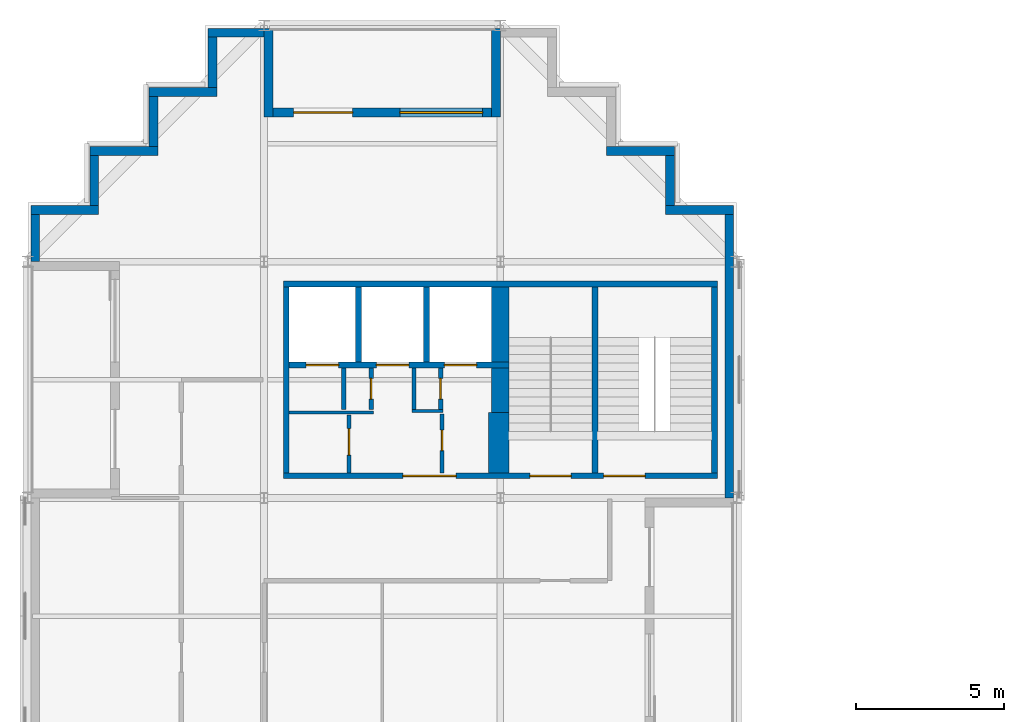
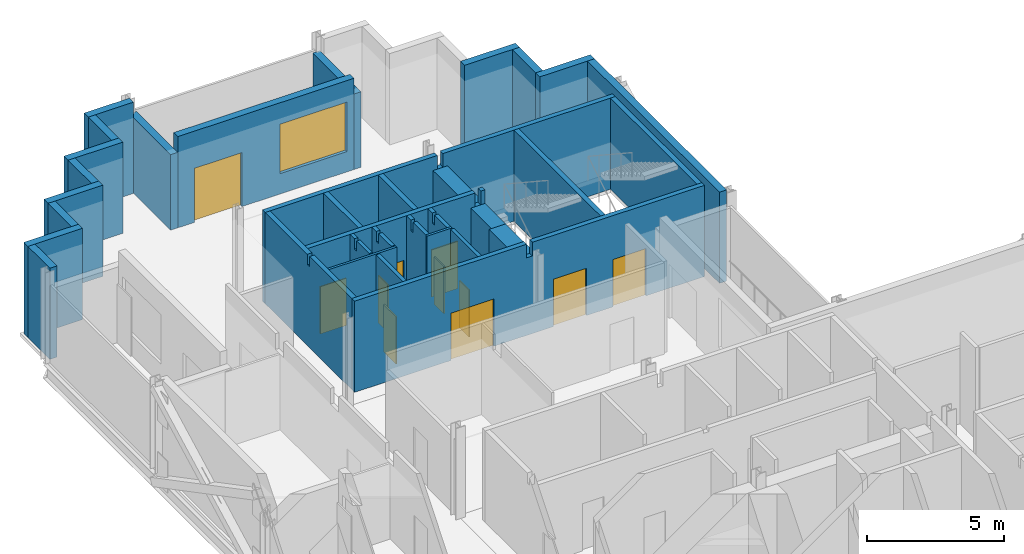
# One storey, part 8 of 11: 34 walls, 11 doors, 1 window, 12 openings.
"""IFC4 building model written with IfcOpenShell, lengths in metres."""

from ifc_helpers import new_model, si_unit, direction, frame, frame_2d, origin, place, context, subcontext, project, spatial, polyline, rectangle, outline, extrude, material, layer, layer_set, type_object, element, fill, save


model = new_model("IFC4")

# Units and contexts
model_context = context("Model", 3, precision=1e-05, world=origin(), true_north=direction((0.0, 1.0)))
body_context = subcontext(model_context, "Body", "Model", "MODEL_VIEW")
ifc_project = project(units=[si_unit("LENGTHUNIT", "METRE"), si_unit("AREAUNIT", "SQUARE_METRE"), si_unit("VOLUMEUNIT", "CUBIC_METRE"), si_unit("PLANEANGLEUNIT", "RADIAN"), si_unit("MASSUNIT", "GRAM", prefix="KILO")], contexts=[model_context])

# Site, building, storey
site_placement = place(None, origin())
site = spatial("IfcSite", under=ifc_project, at=site_placement, CompositionType="ELEMENT")
building_placement = place(site_placement, origin())
building = spatial("IfcBuilding", under=site, at=building_placement, Name="Immortelle Media Tower", CompositionType="ELEMENT")
storey_placement = place(building_placement, frame((0.0, 0.0, 157.800048828125)))
storey = spatial("IfcBuildingStorey", under=building, at=storey_placement, Name="L32", CompositionType="ELEMENT", Elevation=157.800048828125)

# Walls
ifc_material_1 = material(Name="Fire-rated gypsum board", Category="gypsum")
ifc_layer_1 = layer(ifc_material_1, 0.02490234375)
ifc_material_2 = material(Name="Steel ASTM A653 SS Gr 50 stud frame with mineral wool", Category="steel")
ifc_layer_2 = layer(ifc_material_2, 0.050048828125)
ifc_layer_3 = layer(ifc_material_1, 0.02490234375)
ifc_layer_set_1 = layer_set([ifc_layer_1, ifc_layer_2, ifc_layer_3], Name="Steel ASTM A653 SS Gr 50 stud frame with mineral wool")
wall_type_1 = type_object("IfcWallType", Name="Core partition 100", PredefinedType="PARTITIONING", material=ifc_layer_set_1)
wall_1_placement = place(storey_placement, frame((8.85009765625, 34.89990234375, 0.0), z_axis=(0.0, 0.0, 1.0), x_axis=(1.0, 0.0, 0.0)))
element("IfcWall", 1, at=wall_1_placement, inside=storey, type_object=wall_type_1, Name="Core partition NW", PredefinedType="PARTITIONING", context=body_context, shape_type="SweptSolid", body=[
    extrude(rectangle(XDim=2.849853515625, YDim=0.10009765625, at=frame_2d((1.4248046875, 0.0))), origin(), (0.0, 0.0, 1.0), 4.050048828125),
])
wall_2_placement = place(storey_placement, frame((13.0, 34.949951171875, 0.0), z_axis=(0.0, 0.0, 1.0), x_axis=(1.0, 0.0, 0.0)))
element("IfcWall", 2, at=wall_2_placement, inside=storey, type_object=wall_type_1, Name="Core partition NW", PredefinedType="PARTITIONING", context=body_context, shape_type="SweptSolid", body=[
    extrude(rectangle(XDim=1.050048828125, YDim=0.10009765625, at=frame_2d((0.52490234375, 0.0))), origin(), (0.0, 0.0, 1.0), 4.050048828125),
])
ifc_layer_4 = layer(ifc_material_1, 0.02490234375)
ifc_layer_5 = layer(ifc_material_2, 0.10009765625)
ifc_layer_6 = layer(ifc_material_1, 0.02490234375)
ifc_layer_set_2 = layer_set([ifc_layer_4, ifc_layer_5, ifc_layer_6], Name="Steel ASTM A653 SS Gr 50 stud frame with mineral wool")
wall_type_2 = type_object("IfcWallType", Name="Core partition 150", PredefinedType="PARTITIONING", material=ifc_layer_set_2)
wall_3_placement = place(storey_placement, frame((10.699951171875, 35.0, 0.0), z_axis=(0.0, 0.0, 1.0), x_axis=(0.0, 1.0, 0.0)))
element("IfcWall", 3, at=wall_3_placement, inside=storey, type_object=wall_type_2, Name="Core partition NW", PredefinedType="PARTITIONING", context=body_context, shape_type="SweptSolid", body=[
    extrude(outline(polyline([(0.0, 0.0), (1.39990234375, 0.0), (1.39990234375, 4.050048828125), (1.08154296875, 4.050048828125), (1.08056640625, 3.5888671875), (0.91943359375, 3.5888671875), (0.91845703125, 4.050048828125), (0.0, 4.050048828125), (0.0, 0.0)])), frame((0.0, 0.074951171875, 0.0), z_axis=(0.0, -1.0, 0.0), x_axis=(1.0, 0.0, 0.0)), (0.0, 0.0, 1.0), 0.14990234375),
])

# Wall, opening, door
wall_4_placement = place(storey_placement, frame((10.875, 32.85009765625, 0.0), z_axis=(0.0, 0.0, 1.0), x_axis=(0.0, 1.0, 0.0)))
wall_4 = element("IfcWall", 4, at=wall_4_placement, inside=storey, type_object=wall_type_2, Name="Core partition NW", PredefinedType="PARTITIONING", context=body_context, shape_type="SweptSolid", body=[
    extrude(rectangle(XDim=1.949951171875, YDim=0.14990234375, at=frame_2d((0.97509765625, 0.0))), origin(), (0.0, 0.0, 1.0), 4.050048828125),
])
opening_1_placement = place(wall_4_placement, frame((0.60009765625, 0.0, 0.0)))
opening_1 = element("IfcOpeningElement", 5, at=opening_1_placement, cuts=wall_4, Name="Opening C4-K026", PredefinedType="OPENING", context=body_context, shape_type="SweptSolid", body=[
    extrude(rectangle(XDim=0.89990234375, YDim=2.10009765625, at=frame_2d((0.449951171875, 1.050048828125))), frame((0.0, 0.0849609375, 0.0), z_axis=(0.0, -1.0, 0.0), x_axis=(1.0, 0.0, 0.0)), (0.0, 0.0, 1.0), 0.169921875),
])
ifc_material_3 = material(Name="Galvanised steel door leaf and frame ASTM A653", Category="steel")
door_type_1 = type_object("IfcDoorType", Name="Service door 900 x 2100", OperationType="NOTDEFINED", PredefinedType="NOTDEFINED", material=ifc_material_3)
door_1_placement = place(opening_1_placement, origin())
door_1 = element("IfcDoor", 6, at=door_1_placement, inside=storey, type_object=door_type_1, Name="Service C4-K026", OperationType="SINGLE_SWING_LEFT", OverallHeight=2.10009765625, OverallWidth=0.89990234375, PredefinedType="NOTDEFINED", context=body_context, shape_type="SweptSolid", body=[
    extrude(rectangle(XDim=0.89990234375, YDim=2.10009765625, at=frame_2d((0.449951171875, 1.050048828125))), frame((0.0, 0.02490234375, 0.0), z_axis=(0.0, -1.0, 0.0), x_axis=(1.0, 0.0, 0.0)), (0.0, 0.0, 1.0), 0.050048828125),
])
fill(opening_1, door_1)

wall_5_placement = place(storey_placement, frame((11.625, 35.0, 0.0), z_axis=(0.0, 0.0, 1.0), x_axis=(0.0, 1.0, 0.0)))
wall_5 = element("IfcWall", 7, at=wall_5_placement, inside=storey, type_object=wall_type_2, Name="Core partition NW", PredefinedType="PARTITIONING", context=body_context, shape_type="SweptSolid", body=[
    extrude(outline(polyline([(0.0, 0.0), (1.39990234375, 0.0), (1.39990234375, 4.050048828125), (1.08154296875, 4.050048828125), (1.08056640625, 3.5888671875), (0.91943359375, 3.5888671875), (0.91845703125, 4.050048828125), (0.0, 4.050048828125), (0.0, 0.0)])), frame((0.0, 0.074951171875, 0.0), z_axis=(0.0, -1.0, 0.0), x_axis=(1.0, 0.0, 0.0)), (0.0, 0.0, 1.0), 0.14990234375),
])
opening_2_placement = place(wall_5_placement, frame((0.35009765625, 0.0, 0.0)))
opening_2 = element("IfcOpeningElement", 8, at=opening_2_placement, cuts=wall_5, Name="Opening C4-K027", PredefinedType="OPENING", context=body_context, shape_type="SweptSolid", body=[
    extrude(rectangle(XDim=0.699951171875, YDim=2.10009765625, at=frame_2d((0.35009765625, 1.050048828125))), frame((0.0, 0.0849609375, 0.0), z_axis=(0.0, -1.0, 0.0), x_axis=(1.0, 0.0, 0.0)), (0.0, 0.0, 1.0), 0.169921875),
])
door_type_2 = type_object("IfcDoorType", Name="Service door 700 x 2100", OperationType="NOTDEFINED", PredefinedType="NOTDEFINED", material=ifc_material_3)
door_2_placement = place(opening_2_placement, origin())
door_2 = element("IfcDoor", 9, at=door_2_placement, inside=storey, type_object=door_type_2, Name="Service C4-K027", OperationType="SINGLE_SWING_LEFT", OverallHeight=2.10009765625, OverallWidth=0.699951171875, PredefinedType="NOTDEFINED", context=body_context, shape_type="SweptSolid", body=[
    extrude(rectangle(XDim=0.699951171875, YDim=2.10009765625, at=frame_2d((0.35009765625, 1.050048828125))), frame((0.0, 0.02490234375, 0.0), z_axis=(0.0, -1.0, 0.0), x_axis=(1.0, 0.0, 0.0)), (0.0, 0.0, 1.0), 0.050048828125),
])
fill(opening_2, door_2)

# Wall
wall_6_placement = place(storey_placement, frame((13.074951171875, 35.0, 0.0), z_axis=(0.0, 0.0, 1.0), x_axis=(0.0, 1.0, 0.0)))
element("IfcWall", 10, at=wall_6_placement, inside=storey, type_object=wall_type_2, Name="Core partition NW", PredefinedType="PARTITIONING", context=body_context, shape_type="SweptSolid", body=[
    extrude(outline(polyline([(0.0, 0.0), (1.39990234375, 0.0), (1.39990234375, 4.050048828125), (1.08154296875, 4.050048828125), (1.08056640625, 3.5888671875), (0.91943359375, 3.5888671875), (0.91845703125, 4.050048828125), (0.0, 4.050048828125), (0.0, 0.0)])), frame((0.0, 0.074951171875, 0.0), z_axis=(0.0, -1.0, 0.0), x_axis=(1.0, 0.0, 0.0)), (0.0, 0.0, 1.0), 0.14990234375),
])

# Wall, opening, door
wall_7_placement = place(storey_placement, frame((13.97509765625, 35.0, 0.0), z_axis=(0.0, 0.0, 1.0), x_axis=(0.0, 1.0, 0.0)))
wall_7 = element("IfcWall", 11, at=wall_7_placement, inside=storey, type_object=wall_type_2, Name="Core partition NW", PredefinedType="PARTITIONING", context=body_context, shape_type="SweptSolid", body=[
    extrude(outline(polyline([(0.0, 0.0), (1.39990234375, 0.0), (1.39990234375, 4.050048828125), (1.08154296875, 4.050048828125), (1.08056640625, 3.5888671875), (0.91943359375, 3.5888671875), (0.91845703125, 4.050048828125), (0.0, 4.050048828125), (0.0, 0.0)])), frame((0.0, 0.074951171875, 0.0), z_axis=(0.0, -1.0, 0.0), x_axis=(1.0, 0.0, 0.0)), (0.0, 0.0, 1.0), 0.14990234375),
])
opening_3_placement = place(wall_7_placement, frame((1.050048828125, 0.0, 0.0), z_axis=(0.0, 0.0, 1.0), x_axis=(-1.0, 0.0, 0.0)))
opening_3 = element("IfcOpeningElement", 12, at=opening_3_placement, cuts=wall_7, Name="Opening C4-K030", PredefinedType="OPENING", context=body_context, shape_type="SweptSolid", body=[
    extrude(rectangle(XDim=0.699951171875, YDim=2.10009765625, at=frame_2d((0.35009765625, 1.050048828125))), frame((0.0, 0.0849609375, 0.0), z_axis=(0.0, -1.0, 0.0), x_axis=(1.0, 0.0, 0.0)), (0.0, 0.0, 1.0), 0.169921875),
])
door_3_placement = place(opening_3_placement, origin())
door_3 = element("IfcDoor", 13, at=door_3_placement, inside=storey, type_object=door_type_2, Name="Service C4-K030", OperationType="SINGLE_SWING_RIGHT", OverallHeight=2.10009765625, OverallWidth=0.699951171875, PredefinedType="NOTDEFINED", context=body_context, shape_type="SweptSolid", body=[
    extrude(rectangle(XDim=0.699951171875, YDim=2.10009765625, at=frame_2d((0.35009765625, 1.050048828125))), frame((0.0, 0.02490234375, 0.0), z_axis=(0.0, -1.0, 0.0), x_axis=(1.0, 0.0, 0.0)), (0.0, 0.0, 1.0), 0.050048828125),
])
fill(opening_3, door_3)

wall_8_placement = place(storey_placement, frame((14.02490234375, 32.85009765625, 0.0), z_axis=(0.0, 0.0, 1.0), x_axis=(0.0, 1.0, 0.0)))
wall_8 = element("IfcWall", 14, at=wall_8_placement, inside=storey, type_object=wall_type_2, Name="Core partition NW", PredefinedType="PARTITIONING", context=body_context, shape_type="SweptSolid", body=[
    extrude(rectangle(XDim=2.0, YDim=0.14990234375, at=frame_2d((1.0, 0.0))), origin(), (0.0, 0.0, 1.0), 4.050048828125),
])
opening_4_placement = place(wall_8_placement, frame((1.449951171875, 0.0, 0.0), z_axis=(0.0, 0.0, 1.0), x_axis=(-1.0, 0.0, 0.0)))
opening_4 = element("IfcOpeningElement", 15, at=opening_4_placement, cuts=wall_8, Name="Opening C4-K031", PredefinedType="OPENING", context=body_context, shape_type="SweptSolid", body=[
    extrude(rectangle(XDim=0.699951171875, YDim=2.10009765625, at=frame_2d((0.35009765625, 1.050048828125))), frame((0.0, 0.0849609375, 0.0), z_axis=(0.0, -1.0, 0.0), x_axis=(1.0, 0.0, 0.0)), (0.0, 0.0, 1.0), 0.169921875),
])
door_4_placement = place(opening_4_placement, origin())
door_4 = element("IfcDoor", 16, at=door_4_placement, inside=storey, type_object=door_type_2, Name="Service C4-K031", OperationType="SINGLE_SWING_LEFT", OverallHeight=2.10009765625, OverallWidth=0.699951171875, PredefinedType="NOTDEFINED", context=body_context, shape_type="SweptSolid", body=[
    extrude(rectangle(XDim=0.699951171875, YDim=2.10009765625, at=frame_2d((0.35009765625, 1.050048828125))), frame((0.0, 0.02490234375, 0.0), z_axis=(0.0, -1.0, 0.0), x_axis=(1.0, 0.0, 0.0)), (0.0, 0.0, 1.0), 0.050048828125),
])
fill(opening_4, door_4)

# Wall
ifc_layer_7 = layer(ifc_material_1, 0.03759765625)
ifc_layer_8 = layer(ifc_material_2, 0.125)
ifc_layer_9 = layer(ifc_material_1, 0.03759765625)
ifc_layer_set_3 = layer_set([ifc_layer_7, ifc_layer_8, ifc_layer_9], Name="Steel ASTM A653 SS Gr 50 stud frame with mineral wool")
wall_type_3 = type_object("IfcWallType", Name="Core shaft wall 200", PredefinedType="PARTITIONING", material=ifc_layer_set_3)
wall_9_placement = place(storey_placement, frame((8.75, 32.85009765625, 0.0), z_axis=(0.0, 0.0, 1.0), x_axis=(0.0, 1.0, 0.0)))
element("IfcWall", 17, at=wall_9_placement, inside=storey, type_object=wall_type_3, Name="Core shaft wall NW", PredefinedType="PARTITIONING", context=body_context, shape_type="SweptSolid", body=[
    extrude(outline(polyline([(0.0, 0.0), (6.2998046875, 0.0), (6.300048828125, 4.050048828125), (3.2314453125, 4.050048828125), (3.23046875, 3.5888671875), (3.069580078125, 3.5888671875), (3.068603515625, 4.050048828125), (0.0, 4.050048828125), (0.0, 0.0)])), frame((0.0, 0.10009765625, 0.0), z_axis=(0.0, -1.0, 0.0), x_axis=(1.0, 0.0, 0.0)), (0.0, 0.0, 1.0), 0.199951171875),
])

# Wall, openings, doors
wall_10_placement = place(storey_placement, frame((8.85009765625, 36.5, 0.0), z_axis=(0.0, 0.0, 1.0), x_axis=(1.0, 0.0, 0.0)))
wall_10 = element("IfcWall", 18, at=wall_10_placement, inside=storey, type_object=wall_type_3, Name="Core shaft wall NW", PredefinedType="PARTITIONING", context=body_context, shape_type="SweptSolid", body=[
    extrude(outline(polyline([(0.0, 0.0), (7.449951171875, 0.0), (7.449951171875, 4.050048828125), (7.26904296875, 4.050048828125), (7.26806640625, 3.44189453125), (7.031982421875, 3.44189453125), (7.031005859375, 4.050048828125), (0.0, 4.050048828125), (0.0, 0.0)])), frame((0.0, 0.10009765625, 0.0), z_axis=(0.0, -1.0, 0.0), x_axis=(1.0, 0.0, 0.0)), (0.0, 0.0, 1.0), 0.199951171875),
])
opening_5_placement = place(wall_10_placement, frame((0.574951171875, 0.0, 0.0)))
opening_5 = element("IfcOpeningElement", 19, at=opening_5_placement, cuts=wall_10, Name="Opening LD", PredefinedType="OPENING", context=body_context, shape_type="SweptSolid", body=[
    extrude(rectangle(XDim=1.10009765625, YDim=2.10009765625, at=frame_2d((0.550048828125, 1.050048828125))), frame((0.0, 0.10986328125, 0.0), z_axis=(0.0, -1.0, 0.0), x_axis=(1.0, 0.0, 0.0)), (0.0, 0.0, 1.0), 0.219970703125),
])
opening_6_placement = place(wall_10_placement, frame((2.949951171875, 0.0, 0.0)))
opening_6 = element("IfcOpeningElement", 20, at=opening_6_placement, cuts=wall_10, Name="Opening LD", PredefinedType="OPENING", context=body_context, shape_type="SweptSolid", body=[
    extrude(rectangle(XDim=1.10009765625, YDim=2.10009765625, at=frame_2d((0.550048828125, 1.050048828125))), frame((0.0, 0.10986328125, 0.0), z_axis=(0.0, -1.0, 0.0), x_axis=(1.0, 0.0, 0.0)), (0.0, 0.0, 1.0), 0.219970703125),
])
opening_7_placement = place(wall_10_placement, frame((5.25, 0.0, 0.0)))
opening_7 = element("IfcOpeningElement", 21, at=opening_7_placement, cuts=wall_10, Name="Opening LD", PredefinedType="OPENING", context=body_context, shape_type="SweptSolid", body=[
    extrude(rectangle(XDim=1.10009765625, YDim=2.10009765625, at=frame_2d((0.550048828125, 1.050048828125))), frame((0.0, 0.10986328125, 0.0), z_axis=(0.0, -1.0, 0.0), x_axis=(1.0, 0.0, 0.0)), (0.0, 0.0, 1.0), 0.219970703125),
])
ifc_material_4 = material(Name="Stainless steel AISI 304", Category="steel")
door_type_3 = type_object("IfcDoorType", Name="Landing door 1100 x 2100", OperationType="SLIDING_TO_LEFT", PredefinedType="NOTDEFINED", material=ifc_material_4)
door_5_placement = place(opening_5_placement, origin())
door_5 = element("IfcDoor", 22, at=door_5_placement, inside=storey, type_object=door_type_3, Name="Landing door MR1 L32", OperationType="SLIDING_TO_LEFT", OverallHeight=2.10009765625, OverallWidth=1.10009765625, PredefinedType="NOTDEFINED", context=body_context, shape_type="SweptSolid", body=[
    extrude(rectangle(XDim=1.10009765625, YDim=2.10009765625, at=frame_2d((0.550048828125, 1.050048828125))), frame((0.0, 0.02490234375, 0.0), z_axis=(0.0, -1.0, 0.0), x_axis=(1.0, 0.0, 0.0)), (0.0, 0.0, 1.0), 0.050048828125),
])
fill(opening_5, door_5)
door_6_placement = place(opening_6_placement, origin())
door_6 = element("IfcDoor", 23, at=door_6_placement, inside=storey, type_object=door_type_3, Name="Landing door MR2 L32", OperationType="SLIDING_TO_LEFT", OverallHeight=2.10009765625, OverallWidth=1.10009765625, PredefinedType="NOTDEFINED", context=body_context, shape_type="SweptSolid", body=[
    extrude(rectangle(XDim=1.10009765625, YDim=2.10009765625, at=frame_2d((0.550048828125, 1.050048828125))), frame((0.0, 0.02490234375, 0.0), z_axis=(0.0, -1.0, 0.0), x_axis=(1.0, 0.0, 0.0)), (0.0, 0.0, 1.0), 0.050048828125),
])
fill(opening_6, door_6)
door_7_placement = place(opening_7_placement, origin())
door_7 = element("IfcDoor", 24, at=door_7_placement, inside=storey, type_object=door_type_3, Name="Landing door MR3 L32", OperationType="SLIDING_TO_LEFT", OverallHeight=2.10009765625, OverallWidth=1.10009765625, PredefinedType="NOTDEFINED", context=body_context, shape_type="SweptSolid", body=[
    extrude(rectangle(XDim=1.10009765625, YDim=2.10009765625, at=frame_2d((0.550048828125, 1.050048828125))), frame((0.0, 0.02490234375, 0.0), z_axis=(0.0, -1.0, 0.0), x_axis=(1.0, 0.0, 0.0)), (0.0, 0.0, 1.0), 0.050048828125),
])
fill(opening_7, door_7)

# Walls
for number, where, z_axis, x_axis, name in (
    (25, (11.199951171875, 36.60009765625, 0.0), (0.0, 0.0, 1.0), (0.0, 1.0, 0.0), "Core shaft wall NW"),
    (26, (13.5, 36.60009765625, 0.0), (0.0, 0.0, 1.0), (0.0, 1.0, 0.0), "Core shaft wall NW"),
):
    element("IfcWall", number, at=place(storey_placement, frame(where, z_axis=z_axis, x_axis=x_axis)), inside=storey, type_object=wall_type_3, Name=name, PredefinedType="PARTITIONING", context=body_context, shape_type="SweptSolid", body=[
        extrude(rectangle(XDim=2.5498046875, YDim=0.199951171875, at=frame_2d((1.27490234375, 0.0))), origin(), (0.0, 0.0, 1.0), 4.050048828125),
    ])
ifc_material_5 = material(Name="Pale aluminium cladding panel", Category="aluminium")
ifc_layer_10 = layer(ifc_material_5, 0.030029296875)
ifc_layer_11 = layer(ifc_material_2, 0.257568359375)
ifc_material_6 = material(Name="Moisture-resistant gypsum board", Category="gypsum")
ifc_layer_12 = layer(ifc_material_6, 0.012451171875)
ifc_layer_set_4 = layer_set([ifc_layer_10, ifc_layer_11, ifc_layer_12], Name="Steel ASTM A653 SS Gr 50 stud frame with mineral wool")
wall_type_4 = type_object("IfcWallType", Name="Facade wall 300", PredefinedType="SOLIDWALL", material=ifc_layer_set_4)
wall_11_placement = place(storey_placement, frame((23.75, 32.0, 0.0), z_axis=(0.0, 0.0, 1.0), x_axis=(0.0, 1.0, 0.0)))
element("IfcWall", 27, at=wall_11_placement, inside=storey, type_object=wall_type_4, Name="Facade wall L32 E21", PredefinedType="SOLIDWALL", context=body_context, shape_type="SweptSolid", body=[
    extrude(rectangle(XDim=9.60009765625, YDim=0.300048828125, at=frame_2d((4.800048828125, 0.0))), origin(), (0.0, 0.0, 1.0), 4.050048828125),
])
wall_12_placement = place(storey_placement, frame((23.89990234375, 41.75, 0.0), z_axis=(0.0, 0.0, 1.0), x_axis=(-1.0, 0.0, 0.0)))
element("IfcWall", 28, at=wall_12_placement, inside=storey, type_object=wall_type_4, Name="Facade wall L32 N22", PredefinedType="SOLIDWALL", context=body_context, shape_type="SweptSolid", body=[
    extrude(rectangle(XDim=2.2998046875, YDim=0.300048828125, at=frame_2d((1.14990234375, 0.0))), origin(), (0.0, 0.0, 1.0), 4.050048828125),
])
wall_13_placement = place(storey_placement, frame((21.75, 41.89990234375, 0.0), z_axis=(0.0, 0.0, 1.0), x_axis=(0.0, 1.0, 0.0)))
element("IfcWall", 29, at=wall_13_placement, inside=storey, type_object=wall_type_4, Name="Facade wall L32 E23", PredefinedType="SOLIDWALL", context=body_context, shape_type="SweptSolid", body=[
    extrude(rectangle(XDim=1.7001953125, YDim=0.300048828125, at=frame_2d((0.85009765625, 0.0))), origin(), (0.0, 0.0, 1.0), 4.050048828125),
])
wall_14_placement = place(storey_placement, frame((21.89990234375, 43.75, 0.0), z_axis=(0.0, 0.0, 1.0), x_axis=(-1.0, 0.0, 0.0)))
element("IfcWall", 30, at=wall_14_placement, inside=storey, type_object=wall_type_4, Name="Facade wall L32 N24", PredefinedType="SOLIDWALL", context=body_context, shape_type="SweptSolid", body=[
    extrude(rectangle(XDim=2.2998046875, YDim=0.300048828125, at=frame_2d((1.14990234375, 0.0))), origin(), (0.0, 0.0, 1.0), 4.050048828125),
])

# Wall, openings, door, window
wall_15_placement = place(storey_placement, frame((15.699951171875, 45.050048828125, 0.0), z_axis=(0.0, 0.0, 1.0), x_axis=(-1.0, 0.0, 0.0)))
wall_15 = element("IfcWall", 31, at=wall_15_placement, inside=storey, type_object=wall_type_4, Name="Loggia wall L32 N28", PredefinedType="SOLIDWALL", context=body_context, shape_type="SweptSolid", body=[
    extrude(rectangle(XDim=7.39990234375, YDim=0.300048828125, at=frame_2d((3.699951171875, 0.0))), origin(), (0.0, 0.0, 1.0), 4.050048828125),
])
opening_8_placement = place(wall_15_placement, frame((0.300048828125, 0.0, 0.89990234375)))
opening_8 = element("IfcOpeningElement", 32, at=opening_8_placement, cuts=wall_15, Name="Opening W1", PredefinedType="OPENING", context=body_context, shape_type="SweptSolid", body=[
    extrude(rectangle(XDim=2.800048828125, YDim=2.199951171875, at=frame_2d((1.39990234375, 1.10009765625))), frame((0.0, 0.159912109375, 0.0), z_axis=(0.0, -1.0, 0.0), x_axis=(1.0, 0.0, 0.0)), (0.0, 0.0, 1.0), 0.320068359375),
])
opening_9_placement = place(wall_15_placement, frame((4.699951171875, 0.0, 0.0)))
opening_9 = element("IfcOpeningElement", 33, at=opening_9_placement, cuts=wall_15, Name="Opening C4-E006", PredefinedType="OPENING", context=body_context, shape_type="SweptSolid", body=[
    extrude(rectangle(XDim=2.0, YDim=2.39990234375, at=frame_2d((1.0, 1.199951171875))), frame((0.0, 0.159912109375, 0.0), z_axis=(0.0, -1.0, 0.0), x_axis=(1.0, 0.0, 0.0)), (0.0, 0.0, 1.0), 0.320068359375),
])
ifc_material_7 = material(Name="Aluminium frame, glazed leaves", Category="aluminium")
door_type_4 = type_object("IfcDoorType", Name="Loggia door 2000 x 2400", OperationType="DOUBLE_DOOR_SINGLE_SWING", PredefinedType="DOOR", material=ifc_material_7)
door_8_placement = place(opening_9_placement, origin())
door_8 = element("IfcDoor", 34, at=door_8_placement, inside=storey, type_object=door_type_4, Name="Door C4-E006", OperationType="DOUBLE_DOOR_SINGLE_SWING", OverallHeight=2.39990234375, OverallWidth=2.0, PredefinedType="DOOR", context=body_context, shape_type="SweptSolid", body=[
    extrude(rectangle(XDim=2.0, YDim=2.39990234375, at=frame_2d((1.0, 1.199951171875))), frame((0.0, 0.02490234375, 0.0), z_axis=(0.0, -1.0, 0.0), x_axis=(1.0, 0.0, 0.0)), (0.0, 0.0, 1.0), 0.050048828125),
])
fill(opening_9, door_8)
ifc_material_8 = material(Name="Aluminium frame", Category="aluminium")
window_type = type_object("IfcWindowType", Name="Window 2800 x 2200", PartitioningType="SINGLE_PANEL", PredefinedType="WINDOW", material=ifc_material_8)
window_placement = place(opening_8_placement, origin())
window = element("IfcWindow", 35, at=window_placement, inside=storey, type_object=window_type, Name="Window L32 L32-R28-B0", OverallHeight=2.199951171875, OverallWidth=2.800048828125, PartitioningType="SINGLE_PANEL", PredefinedType="WINDOW", context=body_context, shape_type="SweptSolid", body=[
    extrude(rectangle(XDim=2.800048828125, YDim=2.199951171875, at=frame_2d((1.39990234375, 1.10009765625))), frame((0.0, 0.030029296875, 0.0), z_axis=(0.0, -1.0, 0.0), x_axis=(1.0, 0.0, 0.0)), (0.0, 0.0, 1.0), 0.06005859375),
])
fill(opening_8, window)

# Walls
for number, where, z_axis, x_axis, name in (
    (36, (15.85009765625, 47.89990234375, 0.0), (0.0, 0.0, 1.0), (0.0, -1.0, 0.0), "Loggia cheek wall L32 N"),
    (37, (8.14990234375, 47.89990234375, 0.0), (0.0, 0.0, 1.0), (0.0, -1.0, 0.0), "Loggia cheek wall L32 N"),
):
    element("IfcWall", number, at=place(storey_placement, frame(where, z_axis=z_axis, x_axis=x_axis)), inside=storey, type_object=wall_type_4, Name=name, PredefinedType="SOLIDWALL", context=body_context, shape_type="SweptSolid", body=[
        extrude(rectangle(XDim=3.0, YDim=0.300048828125, at=frame_2d((1.5, 0.0))), origin(), (0.0, 0.0, 1.0), 3.35302734375),
    ])
wall_16_placement = place(storey_placement, frame((8.0, 47.75, 0.0), z_axis=(0.0, 0.0, 1.0), x_axis=(-1.0, 0.0, 0.0)))
element("IfcWall", 38, at=wall_16_placement, inside=storey, type_object=wall_type_4, Name="Facade wall L32 N28", PredefinedType="SOLIDWALL", context=body_context, shape_type="SweptSolid", body=[
    extrude(rectangle(XDim=1.89990234375, YDim=0.300048828125, at=frame_2d((0.949951171875, 0.0))), origin(), (0.0, 0.0, 1.0), 4.050048828125),
])
wall_17_placement = place(storey_placement, frame((6.25, 47.60009765625, 0.0), z_axis=(0.0, 0.0, 1.0), x_axis=(0.0, -1.0, 0.0)))
element("IfcWall", 39, at=wall_17_placement, inside=storey, type_object=wall_type_4, Name="Facade wall L32 W29", PredefinedType="SOLIDWALL", context=body_context, shape_type="SweptSolid", body=[
    extrude(rectangle(XDim=1.7001953125, YDim=0.300048828125, at=frame_2d((0.85009765625, 0.0))), origin(), (0.0, 0.0, 1.0), 4.050048828125),
])
wall_18_placement = place(storey_placement, frame((6.39990234375, 45.75, 0.0), z_axis=(0.0, 0.0, 1.0), x_axis=(-1.0, 0.0, 0.0)))
element("IfcWall", 40, at=wall_18_placement, inside=storey, type_object=wall_type_4, Name="Facade wall L32 N30", PredefinedType="SOLIDWALL", context=body_context, shape_type="SweptSolid", body=[
    extrude(rectangle(XDim=2.2998046875, YDim=0.300048828125, at=frame_2d((1.14990234375, 0.0))), origin(), (0.0, 0.0, 1.0), 4.050048828125),
])
wall_19_placement = place(storey_placement, frame((4.25, 45.60009765625, 0.0), z_axis=(0.0, 0.0, 1.0), x_axis=(0.0, -1.0, 0.0)))
element("IfcWall", 41, at=wall_19_placement, inside=storey, type_object=wall_type_4, Name="Facade wall L32 W31", PredefinedType="SOLIDWALL", context=body_context, shape_type="SweptSolid", body=[
    extrude(rectangle(XDim=1.7001953125, YDim=0.300048828125, at=frame_2d((0.85009765625, 0.0))), origin(), (0.0, 0.0, 1.0), 4.050048828125),
])
wall_20_placement = place(storey_placement, frame((4.39990234375, 43.75, 0.0), z_axis=(0.0, 0.0, 1.0), x_axis=(-1.0, 0.0, 0.0)))
element("IfcWall", 42, at=wall_20_placement, inside=storey, type_object=wall_type_4, Name="Facade wall L32 N32", PredefinedType="SOLIDWALL", context=body_context, shape_type="SweptSolid", body=[
    extrude(rectangle(XDim=2.2998046875, YDim=0.300048828125, at=frame_2d((1.14990234375, 0.0))), origin(), (0.0, 0.0, 1.0), 4.050048828125),
])
wall_21_placement = place(storey_placement, frame((2.25, 43.60009765625, 0.0), z_axis=(0.0, 0.0, 1.0), x_axis=(0.0, -1.0, 0.0)))
element("IfcWall", 43, at=wall_21_placement, inside=storey, type_object=wall_type_4, Name="Facade wall L32 W33", PredefinedType="SOLIDWALL", context=body_context, shape_type="SweptSolid", body=[
    extrude(rectangle(XDim=1.7001953125, YDim=0.300048828125, at=frame_2d((0.85009765625, 0.0))), origin(), (0.0, 0.0, 1.0), 4.050048828125),
])
wall_22_placement = place(storey_placement, frame((2.39990234375, 41.75, 0.0), z_axis=(0.0, 0.0, 1.0), x_axis=(-1.0, 0.0, 0.0)))
element("IfcWall", 44, at=wall_22_placement, inside=storey, type_object=wall_type_4, Name="Facade wall L32 N34", PredefinedType="SOLIDWALL", context=body_context, shape_type="SweptSolid", body=[
    extrude(rectangle(XDim=2.2998046875, YDim=0.300048828125, at=frame_2d((1.14990234375, 0.0))), origin(), (0.0, 0.0, 1.0), 4.050048828125),
])
wall_23_placement = place(storey_placement, frame((0.25, 41.60009765625, 0.0), z_axis=(0.0, 0.0, 1.0), x_axis=(0.0, -1.0, 0.0)))
element("IfcWall", 45, at=wall_23_placement, inside=storey, type_object=wall_type_4, Name="Facade wall L32 W35", PredefinedType="SOLIDWALL", context=body_context, shape_type="SweptSolid", body=[
    extrude(rectangle(XDim=1.60009765625, YDim=0.300048828125, at=frame_2d((0.800048828125, 0.0))), origin(), (0.0, 0.0, 1.0), 4.050048828125),
])

# Wall, openings, doors
ifc_material_9 = material(Name="Concrete C60", Category="concrete")
ifc_layer_13 = layer(ifc_material_9, 0.199951171875)
ifc_layer_set_5 = layer_set([ifc_layer_13], Name="Concrete C60")
wall_type_5 = type_object("IfcWallType", Name="Stair shaft wall 200", PredefinedType="PARTITIONING", material=ifc_layer_set_5)
wall_24_placement = place(storey_placement, frame((8.64990234375, 32.75, 0.0), z_axis=(0.0, 0.0, 1.0), x_axis=(1.0, 0.0, 0.0)))
wall_24 = element("IfcWall", 46, at=wall_24_placement, inside=storey, type_object=wall_type_5, Name="Stair shaft wall NW", PredefinedType="PARTITIONING", context=body_context, shape_type="SweptSolid", body=[
    extrude(outline(polyline([(0.0, 0.0), (14.7001953125, 0.0), (14.699951171875, 4.050048828125), (7.468994140625, 4.050048828125), (7.468017578125, 3.44189453125), (7.23193359375, 3.44189453125), (7.23095703125, 4.050048828125), (0.0, 4.050048828125), (0.0, 0.0)])), frame((0.0, 0.10009765625, 0.0), z_axis=(0.0, -1.0, 0.0), x_axis=(1.0, 0.0, 0.0)), (0.0, 0.0, 1.0), 0.199951171875),
])
opening_10_placement = place(wall_24_placement, frame((4.050048828125, 0.0, 0.0)))
opening_10 = element("IfcOpeningElement", 47, at=opening_10_placement, cuts=wall_24, Name="Opening C4-K029", PredefinedType="OPENING", context=body_context, shape_type="SweptSolid", body=[
    extrude(rectangle(XDim=1.800048828125, YDim=2.10009765625, at=frame_2d((0.89990234375, 1.050048828125))), frame((0.0, 0.10986328125, 0.0), z_axis=(0.0, -1.0, 0.0), x_axis=(1.0, 0.0, 0.0)), (0.0, 0.0, 1.0), 0.219970703125),
])
opening_11_placement = place(wall_24_placement, frame((8.35009765625, 0.0, 0.0)))
opening_11 = element("IfcOpeningElement", 48, at=opening_11_placement, cuts=wall_24, Name="Opening C4-K033", PredefinedType="OPENING", context=body_context, shape_type="SweptSolid", body=[
    extrude(rectangle(XDim=1.39990234375, YDim=2.10009765625, at=frame_2d((0.699951171875, 1.050048828125))), frame((0.0, 0.10986328125, 0.0), z_axis=(0.0, -1.0, 0.0), x_axis=(1.0, 0.0, 0.0)), (0.0, 0.0, 1.0), 0.219970703125),
])
opening_12_placement = place(wall_24_placement, frame((10.85009765625, 0.0, 0.0)))
opening_12 = element("IfcOpeningElement", 49, at=opening_12_placement, cuts=wall_24, Name="Opening C4-K034", PredefinedType="OPENING", context=body_context, shape_type="SweptSolid", body=[
    extrude(rectangle(XDim=1.39990234375, YDim=2.10009765625, at=frame_2d((0.699951171875, 1.050048828125))), frame((0.0, 0.10986328125, 0.0), z_axis=(0.0, -1.0, 0.0), x_axis=(1.0, 0.0, 0.0)), (0.0, 0.0, 1.0), 0.219970703125),
])
door_type_5 = type_object("IfcDoorType", Name="Lift lobby door 1800 x 2100", OperationType="DOUBLE_DOOR_SINGLE_SWING", PredefinedType="NOTDEFINED", material=ifc_material_3)
door_9_placement = place(opening_10_placement, origin())
door_9 = element("IfcDoor", 50, at=door_9_placement, inside=storey, type_object=door_type_5, Name="Lift lobby C4-K029", OperationType="DOUBLE_DOOR_SINGLE_SWING", OverallHeight=2.10009765625, OverallWidth=1.800048828125, PredefinedType="NOTDEFINED", context=body_context, shape_type="SweptSolid", body=[
    extrude(rectangle(XDim=1.800048828125, YDim=2.10009765625, at=frame_2d((0.89990234375, 1.050048828125))), frame((0.0, 0.02490234375, 0.0), z_axis=(0.0, -1.0, 0.0), x_axis=(1.0, 0.0, 0.0)), (0.0, 0.0, 1.0), 0.050048828125),
])
fill(opening_10, door_9)
door_type_6 = type_object("IfcDoorType", Name="Stair door 1400 x 2100", OperationType="DOUBLE_DOOR_SINGLE_SWING", PredefinedType="NOTDEFINED", material=ifc_material_3)
door_10_placement = place(opening_11_placement, origin())
door_10 = element("IfcDoor", 51, at=door_10_placement, inside=storey, type_object=door_type_6, Name="Stair C4-K033", OperationType="DOUBLE_DOOR_SINGLE_SWING", OverallHeight=2.10009765625, OverallWidth=1.39990234375, PredefinedType="NOTDEFINED", context=body_context, shape_type="SweptSolid", body=[
    extrude(rectangle(XDim=1.39990234375, YDim=2.10009765625, at=frame_2d((0.699951171875, 1.050048828125))), frame((0.0, 0.02490234375, 0.0), z_axis=(0.0, -1.0, 0.0), x_axis=(1.0, 0.0, 0.0)), (0.0, 0.0, 1.0), 0.050048828125),
])
fill(opening_11, door_10)
door_11_placement = place(opening_12_placement, origin())
door_11 = element("IfcDoor", 52, at=door_11_placement, inside=storey, type_object=door_type_6, Name="Stair C4-K034", OperationType="DOUBLE_DOOR_SINGLE_SWING", OverallHeight=2.10009765625, OverallWidth=1.39990234375, PredefinedType="NOTDEFINED", context=body_context, shape_type="SweptSolid", body=[
    extrude(rectangle(XDim=1.39990234375, YDim=2.10009765625, at=frame_2d((0.699951171875, 1.050048828125))), frame((0.0, 0.02490234375, 0.0), z_axis=(0.0, -1.0, 0.0), x_axis=(1.0, 0.0, 0.0)), (0.0, 0.0, 1.0), 0.050048828125),
])
fill(opening_12, door_11)

# Walls
wall_25_placement = place(storey_placement, frame((8.64990234375, 39.25, 0.0), z_axis=(0.0, 0.0, 1.0), x_axis=(1.0, 0.0, 0.0)))
element("IfcWall", 53, at=wall_25_placement, inside=storey, type_object=wall_type_5, Name="Stair shaft wall NW", PredefinedType="PARTITIONING", context=body_context, shape_type="SweptSolid", body=[
    extrude(outline(polyline([(0.0, 0.0), (14.7001953125, 0.0), (14.699951171875, 4.050048828125), (7.468994140625, 4.050048828125), (7.468017578125, 3.44189453125), (7.23193359375, 3.44189453125), (7.23095703125, 4.050048828125), (0.0, 4.050048828125), (0.0, 0.0)])), frame((0.0, 0.10009765625, 0.0), z_axis=(0.0, -1.0, 0.0), x_axis=(1.0, 0.0, 0.0)), (0.0, 0.0, 1.0), 0.199951171875),
])
for number, where, z_axis, x_axis, name in (
    (54, (19.199951171875, 32.85009765625, 0.0), (0.0, 0.0, 1.0), (0.0, 1.0, 0.0), "Stair shaft wall NW"),
    (55, (23.25, 32.85009765625, 0.0), (0.0, 0.0, 1.0), (0.0, 1.0, 0.0), "Stair shaft wall NW"),
):
    element("IfcWall", number, at=place(storey_placement, frame(where, z_axis=z_axis, x_axis=x_axis)), inside=storey, type_object=wall_type_5, Name=name, PredefinedType="PARTITIONING", context=body_context, shape_type="SweptSolid", body=[
        extrude(rectangle(XDim=6.2998046875, YDim=0.199951171875, at=frame_2d((3.14990234375, 0.0))), origin(), (0.0, 0.0, 1.0), 4.050048828125),
    ])
ifc_layer_14 = layer(ifc_material_9, 0.60009765625)
ifc_layer_set_6 = layer_set([ifc_layer_14], Name="Concrete C60")
wall_type_6 = type_object("IfcWallType", Name="Stair shaft wall 600", PredefinedType="PARTITIONING", material=ifc_layer_set_6)
wall_26_placement = place(storey_placement, frame((16.0, 34.89990234375, 0.0), z_axis=(0.0, 0.0, 1.0), x_axis=(0.0, 1.0, 0.0)))
element("IfcWall", 56, at=wall_26_placement, inside=storey, type_object=wall_type_6, Name="Stair shaft wall NW", PredefinedType="PARTITIONING", context=body_context, shape_type="SweptSolid", body=[
    extrude(rectangle(XDim=1.5, YDim=0.60009765625, at=frame_2d((0.75, 0.0))), origin(), (0.0, 0.0, 1.0), 3.44189453125),
])
wall_27_placement = place(storey_placement, frame((16.0, 36.60009765625, 0.0), z_axis=(0.0, 0.0, 1.0), x_axis=(0.0, 1.0, 0.0)))
element("IfcWall", 57, at=wall_27_placement, inside=storey, type_object=wall_type_6, Name="Stair shaft wall NW", PredefinedType="PARTITIONING", context=body_context, shape_type="SweptSolid", body=[
    extrude(rectangle(XDim=2.5498046875, YDim=0.60009765625, at=frame_2d((1.27490234375, 0.0))), origin(), (0.0, 0.0, 1.0), 3.44189453125),
])
ifc_layer_15 = layer(ifc_material_9, 0.699951171875)
ifc_layer_set_7 = layer_set([ifc_layer_15], Name="Concrete C60")
wall_type_7 = type_object("IfcWallType", Name="Stair shaft wall 700", PredefinedType="PARTITIONING", material=ifc_layer_set_7)
wall_28_placement = place(storey_placement, frame((15.949951171875, 32.85009765625, 0.0), z_axis=(0.0, 0.0, 1.0), x_axis=(0.0, 1.0, 0.0)))
element("IfcWall", 58, at=wall_28_placement, inside=storey, type_object=wall_type_7, Name="Stair shaft wall NW", PredefinedType="PARTITIONING", context=body_context, shape_type="SweptSolid", body=[
    extrude(rectangle(XDim=2.0498046875, YDim=0.699951171875, at=frame_2d((1.02490234375, 0.0))), origin(), (0.0, 0.0, 1.0), 3.44189453125),
])

save(model, "model.ifc")
